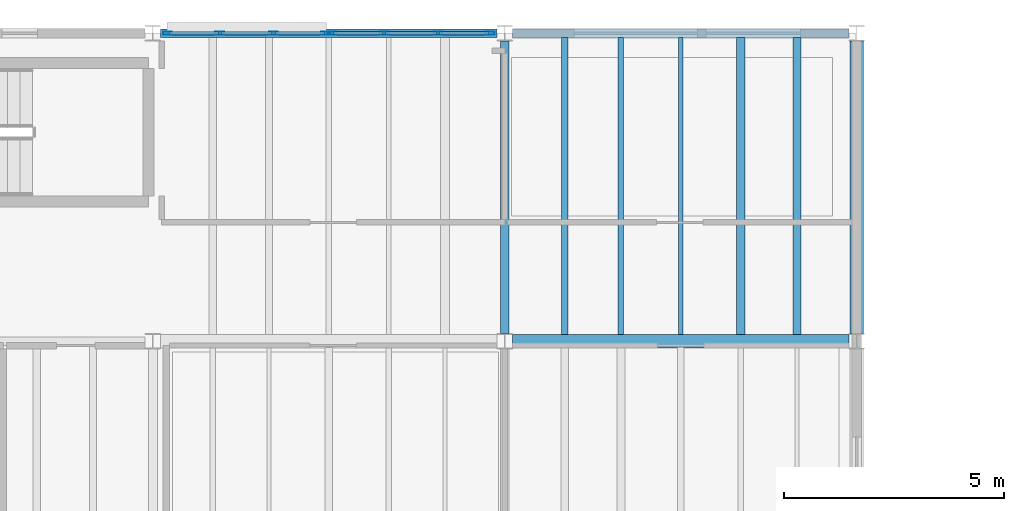
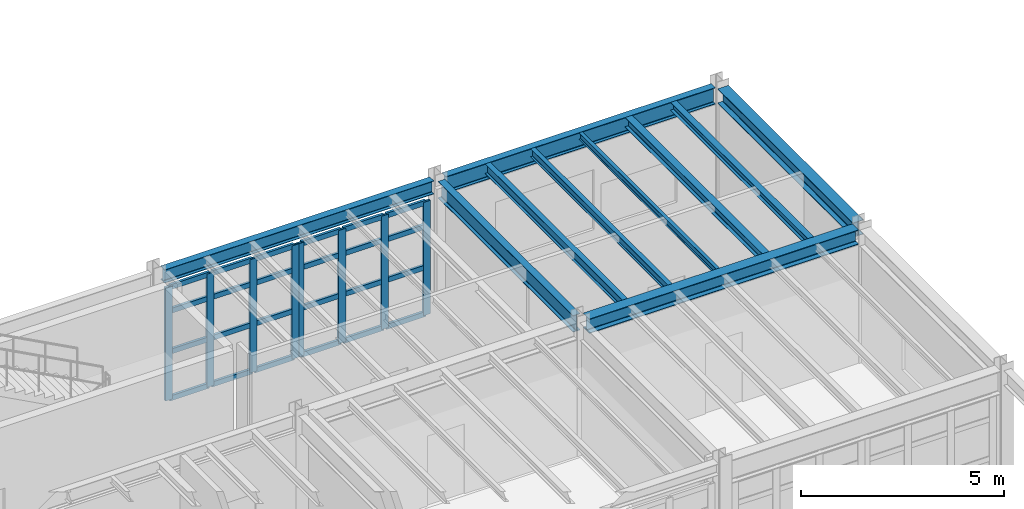
# One storey, part 25 of 78: 32 members, 10 beams, 2 elements without a shape of their own.
"""IFC4 building model written with IfcOpenShell, lengths in metres."""

from ifc_helpers import new_model, si_unit, direction, frame, origin, origin_2d, place, context, subcontext, project, spatial, hollow_rectangle, i_section, extrude, material, material_profile, profile_set, type_object, element, aggregate, save


model = new_model("IFC4")

# Units and contexts
model_context = context("Model", 3, precision=1e-05, world=origin(), true_north=direction((0.0, 1.0)))
body_context = subcontext(model_context, "Body", "Model", "MODEL_VIEW")
ifc_project = project(units=[si_unit("LENGTHUNIT", "METRE"), si_unit("AREAUNIT", "SQUARE_METRE"), si_unit("VOLUMEUNIT", "CUBIC_METRE"), si_unit("PLANEANGLEUNIT", "RADIAN"), si_unit("MASSUNIT", "GRAM", prefix="KILO"), si_unit("THERMODYNAMICTEMPERATUREUNIT", "KELVIN"), si_unit("POWERUNIT", "WATT")], contexts=[model_context])

# Site, building, storey
site_placement = place(None, origin())
site = spatial("IfcSite", under=ifc_project, at=site_placement, CompositionType="ELEMENT")
building_placement = place(site_placement, origin())
building = spatial("IfcBuilding", under=site, at=building_placement, Name="Zhenchuan Central Fire Station", CompositionType="ELEMENT")
storey_placement = place(building_placement, frame((0.0, 0.0, 5.85009765625)))
storey = spatial("IfcBuildingStorey", under=building, at=storey_placement, Name="L02", CompositionType="ELEMENT", Elevation=5.85009765625)

# Beams
ifc_material_1 = material(Name="Steel Q355B", Category="steel")
ifc_material_profile_1 = material_profile(ifc_material_1, i_section(OverallWidth=0.300048828125, OverallDepth=0.43994140625, WebThickness=0.010986328125, FlangeThickness=0.01806640625, FilletRadius=0.02197265625, at=origin_2d()), Name="HM 440x300")
ifc_profile_set_1 = profile_set([ifc_material_profile_1], Name="Steel Q355B")
beam_type_1 = type_object("IfcBeamType", Name="BM-HM440-INT", PredefinedType="BEAM", material=ifc_profile_set_1)
beam_1_placement = place(storey_placement, frame((48.175048828125, 49.5, 3.77978515625), z_axis=(1.0, 0.0, 0.0), x_axis=(0.0, 1.0, 0.0)))
element("IfcBeam", 1, at=beam_1_placement, inside=storey, type_object=beam_type_1, Name="L03 Girder EW 0259", PredefinedType="BEAM", context=body_context, shape_type="SweptSolid", body=[
    extrude(i_section(OverallWidth=0.300048828125, OverallDepth=0.43994140625, WebThickness=0.010986328125, FlangeThickness=0.01806640625, FilletRadius=0.02197265625, at=origin_2d()), origin(), (0.0, 0.0, 1.0), 7.64990234375),
])
beam_2_placement = place(storey_placement, frame((56.0, 49.675048828125, 3.77978515625), z_axis=(0.0, 1.0, 0.0), x_axis=(-1.0, 0.0, 0.0)))
element("IfcBeam", 2, at=beam_2_placement, inside=storey, type_object=beam_type_1, Name="L03 Girder NS 0315", PredefinedType="BEAM", context=body_context, shape_type="SweptSolid", body=[
    extrude(i_section(OverallWidth=0.300048828125, OverallDepth=0.43994140625, WebThickness=0.010986328125, FlangeThickness=0.01806640625, FilletRadius=0.02197265625, at=origin_2d()), origin(), (0.0, 0.0, 1.0), 6.64990234375),
])
ifc_material_profile_2 = material_profile(ifc_material_1, i_section(OverallWidth=0.199951171875, OverallDepth=0.5, WebThickness=0.010009765625, FlangeThickness=0.01611328125, FilletRadius=0.02001953125, at=origin_2d()), Name="HN 500x200")
ifc_profile_set_2 = profile_set([ifc_material_profile_2], Name="Steel Q355B")
beam_type_2 = type_object("IfcBeamType", Name="BM-HN500", PredefinedType="BEAM", material=ifc_profile_set_2)
beam_3_placement = place(storey_placement, frame((48.175048828125, 56.5, 3.75), z_axis=(1.0, 0.0, 0.0), x_axis=(0.0, 1.0, 0.0)))
element("IfcBeam", 3, at=beam_3_placement, inside=storey, type_object=beam_type_2, Name="L03 Girder EW 0270", PredefinedType="BEAM", context=body_context, shape_type="SweptSolid", body=[
    extrude(i_section(OverallWidth=0.199951171875, OverallDepth=0.5, WebThickness=0.010009765625, FlangeThickness=0.01611328125, FilletRadius=0.02001953125, at=origin_2d()), origin(), (0.0, 0.0, 1.0), 7.64990234375),
])
ifc_material_profile_3 = material_profile(ifc_material_1, i_section(OverallWidth=0.199951171875, OverallDepth=0.5, WebThickness=0.010009765625, FlangeThickness=0.01611328125, FilletRadius=0.02001953125, at=origin_2d()), Name="HN 500x200")
ifc_profile_set_3 = profile_set([ifc_material_profile_3], Name="Steel Q355B")
beam_type_3 = type_object("IfcBeamType", Name="BM-HN500-INT", PredefinedType="BEAM", material=ifc_profile_set_3)
beam_4_placement = place(storey_placement, frame((48.0, 49.675048828125, 3.75), z_axis=(0.0, 1.0, 0.0), x_axis=(-1.0, 0.0, 0.0)))
element("IfcBeam", 4, at=beam_4_placement, inside=storey, type_object=beam_type_3, Name="L03 Girder NS 0312", PredefinedType="BEAM", context=body_context, shape_type="SweptSolid", body=[
    extrude(i_section(OverallWidth=0.199951171875, OverallDepth=0.5, WebThickness=0.010009765625, FlangeThickness=0.01611328125, FilletRadius=0.02001953125, at=origin_2d()), origin(), (0.0, 0.0, 1.0), 6.64990234375),
])

# Curtain wall, members
ifc_material_2 = material(Name="Anodised aluminium and low-E glazing", Category="aluminium")
curtain_wall_type_1 = type_object("IfcCurtainWallType", Name="CW-MOD-09", PredefinedType="USERDEFINED", material=ifc_material_2)
curtain_wall_1_placement = place(storey_placement, origin())
curtain_wall_1 = element("IfcCurtainWall", 5, at=curtain_wall_1_placement, inside=storey, type_object=curtain_wall_type_1, Name="L02 Unitised Curtain Wall 060", ObjectType="UNITISED GLAZING", PredefinedType="USERDEFINED")
ifc_material_3 = material(Name="Anodised aluminium EN AW-6063", Category="aluminium")
ifc_material_profile_4 = material_profile(ifc_material_3, hollow_rectangle(XDim=0.074951171875, YDim=0.199951171875, WallThickness=0.0048828125, at=origin_2d()), Name="ALU-M 200x75")
ifc_profile_set_4 = profile_set([ifc_material_profile_4], Name="Anodised aluminium EN AW-6063")
member_type_1 = type_object("IfcMemberType", Name="CW-MUL160", PredefinedType="MULLION", material=ifc_profile_set_4)
member_1_placement = place(storey_placement, frame((40.33251953125, 56.5, -0.004150390625), z_axis=(0.0, 0.0, 1.0), x_axis=(0.0, 1.0, 0.0)))
member_1 = element("IfcMember", 6, at=member_1_placement, type_object=member_type_1, Name="CW-09 mullion 1", PredefinedType="MULLION", context=body_context, shape_type="SweptSolid", body=[
    extrude(hollow_rectangle(XDim=0.074951171875, YDim=0.199951171875, WallThickness=0.0048828125, at=origin_2d()), origin(), (0.0, 0.0, 1.0), 3.404052734375),
])
member_2_placement = place(storey_placement, frame((41.520751953125, 56.5, -0.004150390625), z_axis=(0.0, 0.0, 1.0), x_axis=(0.0, 1.0, 0.0)))
member_2 = element("IfcMember", 7, at=member_2_placement, type_object=member_type_1, Name="CW-09 mullion 2", PredefinedType="MULLION", context=body_context, shape_type="SweptSolid", body=[
    extrude(hollow_rectangle(XDim=0.074951171875, YDim=0.199951171875, WallThickness=0.0048828125, at=origin_2d()), origin(), (0.0, 0.0, 1.0), 3.404052734375),
])
member_3_placement = place(storey_placement, frame((42.741455078125, 56.5, -0.004150390625), z_axis=(0.0, 0.0, 1.0), x_axis=(0.0, 1.0, 0.0)))
member_3 = element("IfcMember", 8, at=member_3_placement, type_object=member_type_1, Name="CW-09 mullion 3", PredefinedType="MULLION", context=body_context, shape_type="SweptSolid", body=[
    extrude(hollow_rectangle(XDim=0.074951171875, YDim=0.199951171875, WallThickness=0.0048828125, at=origin_2d()), origin(), (0.0, 0.0, 1.0), 3.404052734375),
])
member_4_placement = place(storey_placement, frame((43.929443359375, 56.5, -0.004150390625), z_axis=(0.0, 0.0, 1.0), x_axis=(0.0, 1.0, 0.0)))
member_4 = element("IfcMember", 9, at=member_4_placement, type_object=member_type_1, Name="CW-09 mullion 4", PredefinedType="MULLION", context=body_context, shape_type="SweptSolid", body=[
    extrude(hollow_rectangle(XDim=0.074951171875, YDim=0.199951171875, WallThickness=0.0048828125, at=origin_2d()), origin(), (0.0, 0.0, 1.0), 3.404052734375),
])

curtain_wall_type_2 = type_object("IfcCurtainWallType", Name="CW-MOD-10", PredefinedType="USERDEFINED", material=ifc_material_2)
curtain_wall_2_placement = place(storey_placement, origin())
curtain_wall_2 = element("IfcCurtainWall", 10, at=curtain_wall_2_placement, inside=storey, type_object=curtain_wall_type_2, Name="L02 Unitised Curtain Wall 061", ObjectType="UNITISED GLAZING", PredefinedType="USERDEFINED")
member_5_placement = place(storey_placement, frame((44.070556640625, 56.5, -0.004150390625), z_axis=(0.0, 0.0, 1.0), x_axis=(0.0, 1.0, 0.0)))
member_5 = element("IfcMember", 11, at=member_5_placement, type_object=member_type_1, Name="CW-10 mullion 1", PredefinedType="MULLION", context=body_context, shape_type="SweptSolid", body=[
    extrude(hollow_rectangle(XDim=0.074951171875, YDim=0.199951171875, WallThickness=0.0048828125, at=origin_2d()), origin(), (0.0, 0.0, 1.0), 3.404052734375),
])
member_6_placement = place(storey_placement, frame((45.258544921875, 56.5, -0.004150390625), z_axis=(0.0, 0.0, 1.0), x_axis=(0.0, 1.0, 0.0)))
member_6 = element("IfcMember", 12, at=member_6_placement, type_object=member_type_1, Name="CW-10 mullion 2", PredefinedType="MULLION", context=body_context, shape_type="SweptSolid", body=[
    extrude(hollow_rectangle(XDim=0.074951171875, YDim=0.199951171875, WallThickness=0.0048828125, at=origin_2d()), origin(), (0.0, 0.0, 1.0), 3.404052734375),
])
member_7_placement = place(storey_placement, frame((46.479248046875, 56.5, -0.004150390625), z_axis=(0.0, 0.0, 1.0), x_axis=(0.0, 1.0, 0.0)))
member_7 = element("IfcMember", 13, at=member_7_placement, type_object=member_type_1, Name="CW-10 mullion 3", PredefinedType="MULLION", context=body_context, shape_type="SweptSolid", body=[
    extrude(hollow_rectangle(XDim=0.074951171875, YDim=0.199951171875, WallThickness=0.0048828125, at=origin_2d()), origin(), (0.0, 0.0, 1.0), 3.404052734375),
])
member_8_placement = place(storey_placement, frame((47.66748046875, 56.5, -0.004150390625), z_axis=(0.0, 0.0, 1.0), x_axis=(0.0, 1.0, 0.0)))
member_8 = element("IfcMember", 14, at=member_8_placement, type_object=member_type_1, Name="CW-10 mullion 4", PredefinedType="MULLION", context=body_context, shape_type="SweptSolid", body=[
    extrude(hollow_rectangle(XDim=0.074951171875, YDim=0.199951171875, WallThickness=0.0048828125, at=origin_2d()), origin(), (0.0, 0.0, 1.0), 3.404052734375),
])

# Member
ifc_material_profile_5 = material_profile(ifc_material_3, hollow_rectangle(XDim=0.074951171875, YDim=0.14990234375, WallThickness=0.0048828125, at=origin_2d()), Name="ALU-T 150x75")
ifc_profile_set_5 = profile_set([ifc_material_profile_5], Name="Anodised aluminium EN AW-6063")
member_type_2 = type_object("IfcMemberType", Name="CW-TRN130", PredefinedType="NOTDEFINED", material=ifc_profile_set_5)
member_9_placement = place(storey_placement, frame((40.364990234375, 56.5, 0.0283203125), z_axis=(1.0, 0.0, 0.0), x_axis=(0.0, 1.0, 0.0)))
member_9 = element("IfcMember", 15, at=member_9_placement, type_object=member_type_2, Name="CW-09 transom 1.1", ObjectType="TRANSOM", PredefinedType="USERDEFINED", context=body_context, shape_type="SweptSolid", body=[
    extrude(hollow_rectangle(XDim=0.074951171875, YDim=0.14990234375, WallThickness=0.0048828125, at=origin_2d()), origin(), (0.0, 0.0, 1.0), 1.123291015625),
])

member_10_placement = place(storey_placement, frame((40.364990234375, 56.5, 1.427978515625), z_axis=(1.0, 0.0, 0.0), x_axis=(0.0, 1.0, 0.0)))
member_10 = element("IfcMember", 16, at=member_10_placement, type_object=member_type_2, Name="CW-09 transom 1.2", ObjectType="TRANSOM", PredefinedType="USERDEFINED", context=body_context, shape_type="SweptSolid", body=[
    extrude(hollow_rectangle(XDim=0.074951171875, YDim=0.14990234375, WallThickness=0.0048828125, at=origin_2d()), origin(), (0.0, 0.0, 1.0), 1.123291015625),
])

member_11_placement = place(storey_placement, frame((40.364990234375, 56.5, 2.65185546875), z_axis=(1.0, 0.0, 0.0), x_axis=(0.0, 1.0, 0.0)))
member_11 = element("IfcMember", 17, at=member_11_placement, type_object=member_type_2, Name="CW-09 transom 1.3", ObjectType="TRANSOM", PredefinedType="USERDEFINED", context=body_context, shape_type="SweptSolid", body=[
    extrude(hollow_rectangle(XDim=0.074951171875, YDim=0.14990234375, WallThickness=0.0048828125, at=origin_2d()), origin(), (0.0, 0.0, 1.0), 1.123291015625),
])

member_12_placement = place(storey_placement, frame((40.364990234375, 56.5, 3.367431640625), z_axis=(1.0, 0.0, 0.0), x_axis=(0.0, 1.0, 0.0)))
member_12 = element("IfcMember", 18, at=member_12_placement, type_object=member_type_2, Name="CW-09 transom 1.4", ObjectType="TRANSOM", PredefinedType="USERDEFINED", context=body_context, shape_type="SweptSolid", body=[
    extrude(hollow_rectangle(XDim=0.074951171875, YDim=0.14990234375, WallThickness=0.0048828125, at=origin_2d()), origin(), (0.0, 0.0, 1.0), 1.123291015625),
])

member_13_placement = place(storey_placement, frame((41.55322265625, 56.5, 0.0283203125), z_axis=(1.0, 0.0, 0.0), x_axis=(0.0, 1.0, 0.0)))
member_13 = element("IfcMember", 19, at=member_13_placement, type_object=member_type_2, Name="CW-09 transom 2.1", ObjectType="TRANSOM", PredefinedType="USERDEFINED", context=body_context, shape_type="SweptSolid", body=[
    extrude(hollow_rectangle(XDim=0.074951171875, YDim=0.14990234375, WallThickness=0.0048828125, at=origin_2d()), origin(), (0.0, 0.0, 1.0), 1.155517578125),
])

member_14_placement = place(storey_placement, frame((41.55322265625, 56.5, 1.427978515625), z_axis=(1.0, 0.0, 0.0), x_axis=(0.0, 1.0, 0.0)))
member_14 = element("IfcMember", 20, at=member_14_placement, type_object=member_type_2, Name="CW-09 transom 2.2", ObjectType="TRANSOM", PredefinedType="USERDEFINED", context=body_context, shape_type="SweptSolid", body=[
    extrude(hollow_rectangle(XDim=0.074951171875, YDim=0.14990234375, WallThickness=0.0048828125, at=origin_2d()), origin(), (0.0, 0.0, 1.0), 1.155517578125),
])

member_15_placement = place(storey_placement, frame((41.55322265625, 56.5, 2.65185546875), z_axis=(1.0, 0.0, 0.0), x_axis=(0.0, 1.0, 0.0)))
member_15 = element("IfcMember", 21, at=member_15_placement, type_object=member_type_2, Name="CW-09 transom 2.3", ObjectType="TRANSOM", PredefinedType="USERDEFINED", context=body_context, shape_type="SweptSolid", body=[
    extrude(hollow_rectangle(XDim=0.074951171875, YDim=0.14990234375, WallThickness=0.0048828125, at=origin_2d()), origin(), (0.0, 0.0, 1.0), 1.155517578125),
])

member_16_placement = place(storey_placement, frame((41.55322265625, 56.5, 3.367431640625), z_axis=(1.0, 0.0, 0.0), x_axis=(0.0, 1.0, 0.0)))
member_16 = element("IfcMember", 22, at=member_16_placement, type_object=member_type_2, Name="CW-09 transom 2.4", ObjectType="TRANSOM", PredefinedType="USERDEFINED", context=body_context, shape_type="SweptSolid", body=[
    extrude(hollow_rectangle(XDim=0.074951171875, YDim=0.14990234375, WallThickness=0.0048828125, at=origin_2d()), origin(), (0.0, 0.0, 1.0), 1.155517578125),
])

member_17_placement = place(storey_placement, frame((42.77392578125, 56.5, 0.0283203125), z_axis=(1.0, 0.0, 0.0), x_axis=(0.0, 1.0, 0.0)))
member_17 = element("IfcMember", 23, at=member_17_placement, type_object=member_type_2, Name="CW-09 transom 3.1", ObjectType="TRANSOM", PredefinedType="USERDEFINED", context=body_context, shape_type="SweptSolid", body=[
    extrude(hollow_rectangle(XDim=0.074951171875, YDim=0.14990234375, WallThickness=0.0048828125, at=origin_2d()), origin(), (0.0, 0.0, 1.0), 1.123046875),
])

member_18_placement = place(storey_placement, frame((42.77392578125, 56.5, 1.427978515625), z_axis=(1.0, 0.0, 0.0), x_axis=(0.0, 1.0, 0.0)))
member_18 = element("IfcMember", 24, at=member_18_placement, type_object=member_type_2, Name="CW-09 transom 3.2", ObjectType="TRANSOM", PredefinedType="USERDEFINED", context=body_context, shape_type="SweptSolid", body=[
    extrude(hollow_rectangle(XDim=0.074951171875, YDim=0.14990234375, WallThickness=0.0048828125, at=origin_2d()), origin(), (0.0, 0.0, 1.0), 1.123046875),
])

member_19_placement = place(storey_placement, frame((42.77392578125, 56.5, 2.65185546875), z_axis=(1.0, 0.0, 0.0), x_axis=(0.0, 1.0, 0.0)))
member_19 = element("IfcMember", 25, at=member_19_placement, type_object=member_type_2, Name="CW-09 transom 3.3", ObjectType="TRANSOM", PredefinedType="USERDEFINED", context=body_context, shape_type="SweptSolid", body=[
    extrude(hollow_rectangle(XDim=0.074951171875, YDim=0.14990234375, WallThickness=0.0048828125, at=origin_2d()), origin(), (0.0, 0.0, 1.0), 1.123046875),
])

member_20_placement = place(storey_placement, frame((42.77392578125, 56.5, 3.367431640625), z_axis=(1.0, 0.0, 0.0), x_axis=(0.0, 1.0, 0.0)))
member_20 = element("IfcMember", 26, at=member_20_placement, type_object=member_type_2, Name="CW-09 transom 3.4", ObjectType="TRANSOM", PredefinedType="USERDEFINED", context=body_context, shape_type="SweptSolid", body=[
    extrude(hollow_rectangle(XDim=0.074951171875, YDim=0.14990234375, WallThickness=0.0048828125, at=origin_2d()), origin(), (0.0, 0.0, 1.0), 1.123046875),
])

aggregate(curtain_wall_1, [member_1, member_2, member_3, member_4, member_9, member_10, member_11, member_12, member_13, member_14, member_15, member_16, member_17, member_18, member_19, member_20])

member_21_placement = place(storey_placement, frame((44.10302734375, 56.5, 0.0283203125), z_axis=(1.0, 0.0, 0.0), x_axis=(0.0, 1.0, 0.0)))
member_21 = element("IfcMember", 27, at=member_21_placement, type_object=member_type_2, Name="CW-10 transom 1.1", ObjectType="TRANSOM", PredefinedType="USERDEFINED", context=body_context, shape_type="SweptSolid", body=[
    extrude(hollow_rectangle(XDim=0.074951171875, YDim=0.14990234375, WallThickness=0.0048828125, at=origin_2d()), origin(), (0.0, 0.0, 1.0), 1.123046875),
])

member_22_placement = place(storey_placement, frame((44.10302734375, 56.5, 1.427978515625), z_axis=(1.0, 0.0, 0.0), x_axis=(0.0, 1.0, 0.0)))
member_22 = element("IfcMember", 28, at=member_22_placement, type_object=member_type_2, Name="CW-10 transom 1.2", ObjectType="TRANSOM", PredefinedType="USERDEFINED", context=body_context, shape_type="SweptSolid", body=[
    extrude(hollow_rectangle(XDim=0.074951171875, YDim=0.14990234375, WallThickness=0.0048828125, at=origin_2d()), origin(), (0.0, 0.0, 1.0), 1.123046875),
])

member_23_placement = place(storey_placement, frame((44.10302734375, 56.5, 2.65185546875), z_axis=(1.0, 0.0, 0.0), x_axis=(0.0, 1.0, 0.0)))
member_23 = element("IfcMember", 29, at=member_23_placement, type_object=member_type_2, Name="CW-10 transom 1.3", ObjectType="TRANSOM", PredefinedType="USERDEFINED", context=body_context, shape_type="SweptSolid", body=[
    extrude(hollow_rectangle(XDim=0.074951171875, YDim=0.14990234375, WallThickness=0.0048828125, at=origin_2d()), origin(), (0.0, 0.0, 1.0), 1.123046875),
])

member_24_placement = place(storey_placement, frame((44.10302734375, 56.5, 3.367431640625), z_axis=(1.0, 0.0, 0.0), x_axis=(0.0, 1.0, 0.0)))
member_24 = element("IfcMember", 30, at=member_24_placement, type_object=member_type_2, Name="CW-10 transom 1.4", ObjectType="TRANSOM", PredefinedType="USERDEFINED", context=body_context, shape_type="SweptSolid", body=[
    extrude(hollow_rectangle(XDim=0.074951171875, YDim=0.14990234375, WallThickness=0.0048828125, at=origin_2d()), origin(), (0.0, 0.0, 1.0), 1.123046875),
])

member_25_placement = place(storey_placement, frame((45.291259765625, 56.5, 0.0283203125), z_axis=(1.0, 0.0, 0.0), x_axis=(0.0, 1.0, 0.0)))
member_25 = element("IfcMember", 31, at=member_25_placement, type_object=member_type_2, Name="CW-10 transom 2.1", ObjectType="TRANSOM", PredefinedType="USERDEFINED", context=body_context, shape_type="SweptSolid", body=[
    extrude(hollow_rectangle(XDim=0.074951171875, YDim=0.14990234375, WallThickness=0.0048828125, at=origin_2d()), origin(), (0.0, 0.0, 1.0), 1.155517578125),
])

member_26_placement = place(storey_placement, frame((45.291259765625, 56.5, 1.427978515625), z_axis=(1.0, 0.0, 0.0), x_axis=(0.0, 1.0, 0.0)))
member_26 = element("IfcMember", 32, at=member_26_placement, type_object=member_type_2, Name="CW-10 transom 2.2", ObjectType="TRANSOM", PredefinedType="USERDEFINED", context=body_context, shape_type="SweptSolid", body=[
    extrude(hollow_rectangle(XDim=0.074951171875, YDim=0.14990234375, WallThickness=0.0048828125, at=origin_2d()), origin(), (0.0, 0.0, 1.0), 1.155517578125),
])

member_27_placement = place(storey_placement, frame((45.291259765625, 56.5, 2.65185546875), z_axis=(1.0, 0.0, 0.0), x_axis=(0.0, 1.0, 0.0)))
member_27 = element("IfcMember", 33, at=member_27_placement, type_object=member_type_2, Name="CW-10 transom 2.3", ObjectType="TRANSOM", PredefinedType="USERDEFINED", context=body_context, shape_type="SweptSolid", body=[
    extrude(hollow_rectangle(XDim=0.074951171875, YDim=0.14990234375, WallThickness=0.0048828125, at=origin_2d()), origin(), (0.0, 0.0, 1.0), 1.155517578125),
])

member_28_placement = place(storey_placement, frame((45.291259765625, 56.5, 3.367431640625), z_axis=(1.0, 0.0, 0.0), x_axis=(0.0, 1.0, 0.0)))
member_28 = element("IfcMember", 34, at=member_28_placement, type_object=member_type_2, Name="CW-10 transom 2.4", ObjectType="TRANSOM", PredefinedType="USERDEFINED", context=body_context, shape_type="SweptSolid", body=[
    extrude(hollow_rectangle(XDim=0.074951171875, YDim=0.14990234375, WallThickness=0.0048828125, at=origin_2d()), origin(), (0.0, 0.0, 1.0), 1.155517578125),
])

member_29_placement = place(storey_placement, frame((46.51171875, 56.5, 0.0283203125), z_axis=(1.0, 0.0, 0.0), x_axis=(0.0, 1.0, 0.0)))
member_29 = element("IfcMember", 35, at=member_29_placement, type_object=member_type_2, Name="CW-10 transom 3.1", ObjectType="TRANSOM", PredefinedType="USERDEFINED", context=body_context, shape_type="SweptSolid", body=[
    extrude(hollow_rectangle(XDim=0.074951171875, YDim=0.14990234375, WallThickness=0.0048828125, at=origin_2d()), origin(), (0.0, 0.0, 1.0), 1.123291015625),
])

member_30_placement = place(storey_placement, frame((46.51171875, 56.5, 1.427978515625), z_axis=(1.0, 0.0, 0.0), x_axis=(0.0, 1.0, 0.0)))
member_30 = element("IfcMember", 36, at=member_30_placement, type_object=member_type_2, Name="CW-10 transom 3.2", ObjectType="TRANSOM", PredefinedType="USERDEFINED", context=body_context, shape_type="SweptSolid", body=[
    extrude(hollow_rectangle(XDim=0.074951171875, YDim=0.14990234375, WallThickness=0.0048828125, at=origin_2d()), origin(), (0.0, 0.0, 1.0), 1.123291015625),
])

member_31_placement = place(storey_placement, frame((46.51171875, 56.5, 2.65185546875), z_axis=(1.0, 0.0, 0.0), x_axis=(0.0, 1.0, 0.0)))
member_31 = element("IfcMember", 37, at=member_31_placement, type_object=member_type_2, Name="CW-10 transom 3.3", ObjectType="TRANSOM", PredefinedType="USERDEFINED", context=body_context, shape_type="SweptSolid", body=[
    extrude(hollow_rectangle(XDim=0.074951171875, YDim=0.14990234375, WallThickness=0.0048828125, at=origin_2d()), origin(), (0.0, 0.0, 1.0), 1.123291015625),
])

member_32_placement = place(storey_placement, frame((46.51171875, 56.5, 3.367431640625), z_axis=(1.0, 0.0, 0.0), x_axis=(0.0, 1.0, 0.0)))
member_32 = element("IfcMember", 38, at=member_32_placement, type_object=member_type_2, Name="CW-10 transom 3.4", ObjectType="TRANSOM", PredefinedType="USERDEFINED", context=body_context, shape_type="SweptSolid", body=[
    extrude(hollow_rectangle(XDim=0.074951171875, YDim=0.14990234375, WallThickness=0.0048828125, at=origin_2d()), origin(), (0.0, 0.0, 1.0), 1.123291015625),
])

aggregate(curtain_wall_2, [member_5, member_6, member_7, member_8, member_21, member_22, member_23, member_24, member_25, member_26, member_27, member_28, member_29, member_30, member_31, member_32])

# Beams
ifc_material_profile_6 = material_profile(ifc_material_1, i_section(OverallWidth=0.175048828125, OverallDepth=0.243896484375, WebThickness=0.007080078125, FlangeThickness=0.010986328125, FilletRadius=0.012939453125, at=origin_2d()), Name="HM 244x175")
ifc_profile_set_6 = profile_set([ifc_material_profile_6], Name="Steel Q355B")
beam_type_4 = type_object("IfcBeamType", Name="JS-HM244", PredefinedType="JOIST", material=ifc_profile_set_6)
beam_5_placement = place(storey_placement, frame((54.639892578125, 49.64697265625, 3.8779296875), z_axis=(0.0, 1.0, 0.0), x_axis=(-1.0, 0.0, 0.0)))
element("IfcBeam", 39, at=beam_5_placement, inside=storey, type_object=beam_type_4, Name="L03 Secondary Joist 0564", PredefinedType="JOIST", context=body_context, shape_type="SweptSolid", body=[
    extrude(i_section(OverallWidth=0.175048828125, OverallDepth=0.243896484375, WebThickness=0.007080078125, FlangeThickness=0.010986328125, FilletRadius=0.012939453125, at=origin_2d()), origin(), (0.0, 0.0, 1.0), 6.756103515625),
])
ifc_material_profile_7 = material_profile(ifc_material_1, i_section(OverallWidth=0.199951171875, OverallDepth=0.2939453125, WebThickness=0.008056640625, FlangeThickness=0.011962890625, FilletRadius=0.01611328125, at=origin_2d()), Name="HM 294x200")
ifc_profile_set_7 = profile_set([ifc_material_profile_7], Name="Steel Q355B")
beam_type_5 = type_object("IfcBeamType", Name="JS-HM294", PredefinedType="JOIST", material=ifc_profile_set_7)
beam_6_placement = place(storey_placement, frame((53.360107421875, 49.64697265625, 3.852783203125), z_axis=(0.0, 1.0, 0.0), x_axis=(-1.0, 0.0, 0.0)))
element("IfcBeam", 40, at=beam_6_placement, inside=storey, type_object=beam_type_5, Name="L03 Secondary Joist 0563", PredefinedType="JOIST", context=body_context, shape_type="SweptSolid", body=[
    extrude(i_section(OverallWidth=0.199951171875, OverallDepth=0.2939453125, WebThickness=0.008056640625, FlangeThickness=0.011962890625, FilletRadius=0.01611328125, at=origin_2d()), origin(), (0.0, 0.0, 1.0), 6.756103515625),
])
ifc_material_profile_8 = material_profile(ifc_material_1, i_section(OverallWidth=0.10009765625, OverallDepth=0.199951171875, WebThickness=0.005615234375, FlangeThickness=0.008056640625, FilletRadius=0.010986328125, at=origin_2d()), Name="HN 200x100")
ifc_profile_set_8 = profile_set([ifc_material_profile_8], Name="Steel Q355B")
beam_type_6 = type_object("IfcBeamType", Name="JS-HN200", PredefinedType="JOIST", material=ifc_profile_set_8)
beam_7_placement = place(storey_placement, frame((52.0, 49.64697265625, 3.89990234375), z_axis=(0.0, 1.0, 0.0), x_axis=(-1.0, 0.0, 0.0)))
element("IfcBeam", 41, at=beam_7_placement, inside=storey, type_object=beam_type_6, Name="L03 Secondary Joist 0562", PredefinedType="JOIST", context=body_context, shape_type="SweptSolid", body=[
    extrude(i_section(OverallWidth=0.10009765625, OverallDepth=0.199951171875, WebThickness=0.005615234375, FlangeThickness=0.008056640625, FilletRadius=0.010986328125, at=origin_2d()), origin(), (0.0, 0.0, 1.0), 6.756103515625),
])
ifc_material_profile_9 = material_profile(ifc_material_1, i_section(OverallWidth=0.125, OverallDepth=0.25, WebThickness=0.006103515625, FlangeThickness=0.009033203125, FilletRadius=0.011962890625, at=origin_2d()), Name="HN 250x125")
ifc_profile_set_9 = profile_set([ifc_material_profile_9], Name="Steel Q355B")
beam_type_7 = type_object("IfcBeamType", Name="JS-HN250", PredefinedType="JOIST", material=ifc_profile_set_9)
beam_8_placement = place(storey_placement, frame((50.639892578125, 49.64697265625, 3.875), z_axis=(0.0, 1.0, 0.0), x_axis=(-1.0, 0.0, 0.0)))
element("IfcBeam", 42, at=beam_8_placement, inside=storey, type_object=beam_type_7, Name="L03 Secondary Joist 0561", PredefinedType="JOIST", context=body_context, shape_type="SweptSolid", body=[
    extrude(i_section(OverallWidth=0.125, OverallDepth=0.25, WebThickness=0.006103515625, FlangeThickness=0.009033203125, FilletRadius=0.011962890625, at=origin_2d()), origin(), (0.0, 0.0, 1.0), 6.756103515625),
])
ifc_material_profile_10 = material_profile(ifc_material_1, i_section(OverallWidth=0.14990234375, OverallDepth=0.300048828125, WebThickness=0.006591796875, FlangeThickness=0.009033203125, FilletRadius=0.012939453125, at=origin_2d()), Name="HN 300x150")
ifc_profile_set_10 = profile_set([ifc_material_profile_10], Name="Steel Q355B")
beam_type_8 = type_object("IfcBeamType", Name="JS-HN300", PredefinedType="JOIST", material=ifc_profile_set_10)
beam_9_placement = place(storey_placement, frame((49.360107421875, 49.64697265625, 3.849853515625), z_axis=(0.0, 1.0, 0.0), x_axis=(-1.0, 0.0, 0.0)))
element("IfcBeam", 43, at=beam_9_placement, inside=storey, type_object=beam_type_8, Name="L03 Secondary Joist 0560", PredefinedType="JOIST", context=body_context, shape_type="SweptSolid", body=[
    extrude(i_section(OverallWidth=0.14990234375, OverallDepth=0.300048828125, WebThickness=0.006591796875, FlangeThickness=0.009033203125, FilletRadius=0.012939453125, at=origin_2d()), origin(), (0.0, 0.0, 1.0), 6.756103515625),
])
ifc_material_profile_11 = material_profile(ifc_material_1, i_section(OverallWidth=0.199951171875, OverallDepth=0.39990234375, WebThickness=0.008056640625, FlangeThickness=0.012939453125, FilletRadius=0.01611328125, at=origin_2d()), Name="HN 400x200")
ifc_profile_set_11 = profile_set([ifc_material_profile_11], Name="Steel Q355B")
beam_type_9 = type_object("IfcBeamType", Name="SP-HN400", PredefinedType="SPANDREL", material=ifc_profile_set_11)
beam_10_placement = place(storey_placement, frame((40.175048828125, 56.5, 3.7998046875), z_axis=(1.0, 0.0, 0.0), x_axis=(0.0, 1.0, 0.0)))
element("IfcBeam", 44, at=beam_10_placement, inside=storey, type_object=beam_type_9, Name="L03 Girder EW 0269", PredefinedType="SPANDREL", context=body_context, shape_type="SweptSolid", body=[
    extrude(i_section(OverallWidth=0.199951171875, OverallDepth=0.39990234375, WebThickness=0.008056640625, FlangeThickness=0.012939453125, FilletRadius=0.01611328125, at=origin_2d()), origin(), (0.0, 0.0, 1.0), 7.64990234375),
])

save(model, "model.ifc")
